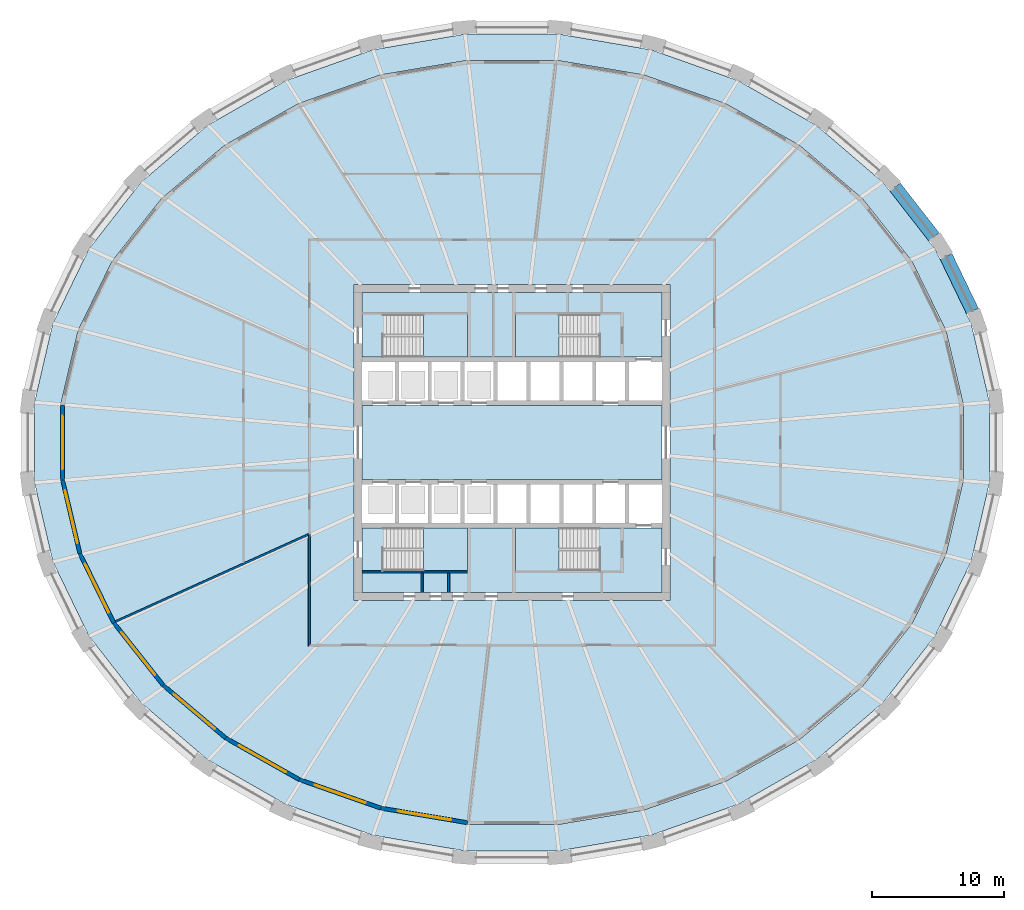
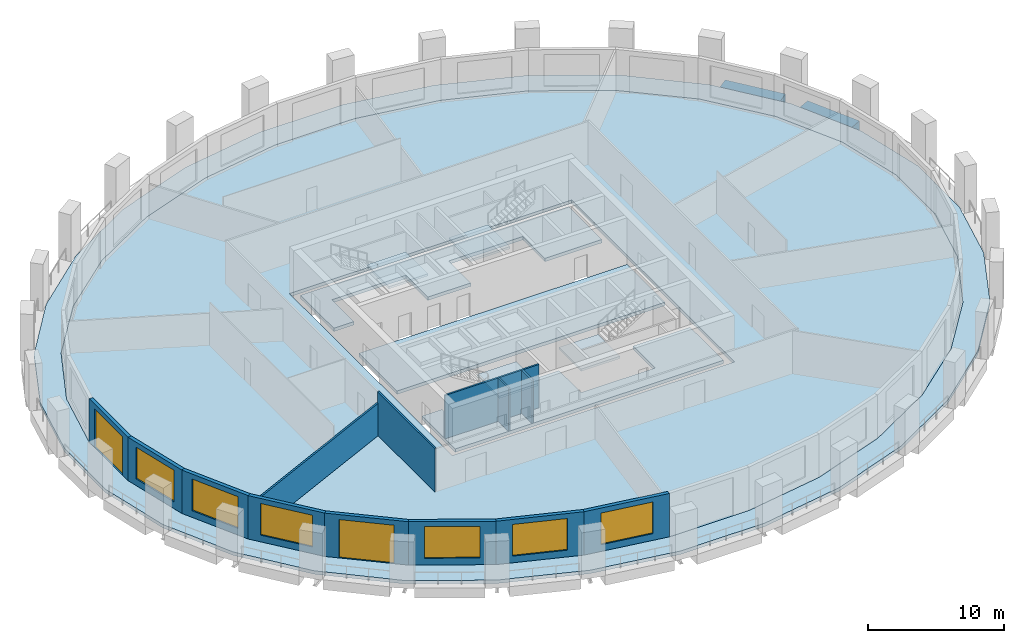
# One storey, part 2 of 10: 13 walls, 9 slabs, 6 windows, 2 beams, 2 doors, 8 openings, 4 elements without a shape of their own.
"""IFC4 building model written with IfcOpenShell, lengths in metres."""

from ifc_helpers import new_model, si_unit, direction, frame, frame_2d, origin, origin_2d, place, context, subcontext, project, spatial, polyline, rectangle, outline, extrude, material, layer, layer_set, material_profile, profile_set, type_object, element, fill, aggregate, save


model = new_model("IFC4")

# Units and contexts
model_context = context("Model", 3, precision=1e-05, world=origin(), true_north=direction((0.0, 1.0)))
body_context = subcontext(model_context, "Body", "Model", "MODEL_VIEW")
ifc_project = project(units=[si_unit("LENGTHUNIT", "METRE"), si_unit("AREAUNIT", "SQUARE_METRE"), si_unit("VOLUMEUNIT", "CUBIC_METRE"), si_unit("PLANEANGLEUNIT", "RADIAN"), si_unit("MASSUNIT", "GRAM", prefix="KILO")], contexts=[model_context])

# Site, building, storey
site_placement = place(None, origin())
site = spatial("IfcSite", under=ifc_project, at=site_placement, CompositionType="ELEMENT")
building_placement = place(site_placement, origin())
building = spatial("IfcBuilding", under=site, at=building_placement, Name="Halqa Exchange Tower", CompositionType="ELEMENT")
storey_placement = place(building_placement, frame((0.0, 0.0, 65.5)))
storey = spatial("IfcBuildingStorey", under=building, at=storey_placement, Name="L14", CompositionType="ELEMENT", Elevation=65.5)

# Beams
ifc_material_1 = material(Name="Concrete C60/75", Category="concrete")
ifc_material_profile = material_profile(ifc_material_1, rectangle(XDim=1.0, YDim=0.89990234375, at=origin_2d()), Name="1000 x 900")
ifc_profile_set = profile_set([ifc_material_profile], Name="Concrete C60/75")
beam_type = type_object("IfcBeamType", Name="RC spandrel beam 1000 x 900 C60/75", PredefinedType="SPANDREL", material=ifc_profile_set)
beam_1_placement = place(storey_placement, frame((35.0, 9.9892578125, -0.449951171875), z_axis=(-0.435081553548, 0.900391049357, 0.0), x_axis=(-0.900391049357, -0.435081553548, 0.0)))
element("IfcBeam", 1, at=beam_1_placement, inside=storey, type_object=beam_type, Name="Spandrel 2", PredefinedType="SPANDREL", context=body_context, shape_type="SweptSolid", body=[
    extrude(rectangle(XDim=1.0, YDim=0.89990234375, at=origin_2d()), origin(), (0.0, 0.0, 1.0), 4.619873046875),
])
beam_2_placement = place(storey_placement, frame((32.06884765625, 15.630859375, -0.449951171875), z_axis=(-0.614821046905, 0.788666647122, 0.0), x_axis=(-0.788666647122, -0.614821046905, 0.0)))
element("IfcBeam", 2, at=beam_2_placement, inside=storey, type_object=beam_type, Name="Spandrel 3", PredefinedType="SPANDREL", context=body_context, shape_type="SweptSolid", body=[
    extrude(rectangle(XDim=1.0, YDim=0.89990234375, at=origin_2d()), origin(), (0.0, 0.0, 1.0), 4.79736328125),
])

# Slabs
ifc_layer_1 = layer(ifc_material_1, 0.300048828125)
ifc_layer_set_1 = layer_set([ifc_layer_1], Name="Concrete C60/75")
slab_type_1 = type_object("IfcSlabType", Name="Core floor slab 300", PredefinedType="FLOOR", material=ifc_layer_set_1)
slab_1_placement = place(storey_placement, frame((0.0, 0.0, -0.300048828125)))
element("IfcSlab", 3, at=slab_1_placement, inside=storey, type_object=slab_type_1, Name="Core floor slab", PredefinedType="FLOOR", context=body_context, shape_type="SweptSolid", body=[
    extrude(outline(polyline([(-11.39990234375, 2.800048828125), (11.39990234375, 2.800048828125), (11.39990234375, -2.800048828125), (-11.39990234375, -2.800048828125), (-11.39990234375, 2.800048828125)])), origin(), (0.0, 0.0, 1.0), 0.300048828125),
])
slab_2_placement = place(storey_placement, frame((0.0, 0.0, -0.300048828125)))
element("IfcSlab", 4, at=slab_2_placement, inside=storey, type_object=slab_type_1, Name="Core floor slab", PredefinedType="FLOOR", context=body_context, shape_type="SweptSolid", body=[
    extrude(outline(polyline([(-11.39990234375, 11.39990234375), (11.39990234375, 11.39990234375), (11.39990234375, 6.5), (6.550048828125, 6.5), (6.550048828125, 9.75), (0.25, 9.75), (0.25, 6.5), (-3.39990234375, 6.5), (-3.39990234375, 9.75), (-9.699951171875, 9.75), (-9.699951171875, 6.5), (-11.39990234375, 6.5), (-11.39990234375, 11.39990234375)])), origin(), (0.0, 0.0, 1.0), 0.300048828125),
])
slab_3_placement = place(storey_placement, frame((0.0, 0.0, -0.300048828125)))
element("IfcSlab", 5, at=slab_3_placement, inside=storey, type_object=slab_type_1, Name="Core floor slab", PredefinedType="FLOOR", context=body_context, shape_type="SweptSolid", body=[
    extrude(outline(polyline([(-9.699951171875, -9.75), (-3.39990234375, -9.75), (-3.39990234375, -6.5), (0.25, -6.5), (0.25, -9.75), (6.550048828125, -9.75), (6.550048828125, -6.5), (11.39990234375, -6.5), (11.39990234375, -11.39990234375), (-11.39990234375, -11.39990234375), (-11.39990234375, -6.5), (-9.699951171875, -6.5), (-9.699951171875, -9.75)])), origin(), (0.0, 0.0, 1.0), 0.300048828125),
])
ifc_material_2 = material(Name="Concrete C40/50", Category="concrete")
ifc_layer_2 = layer(ifc_material_2, 0.300048828125)
ifc_layer_set_2 = layer_set([ifc_layer_2], Name="Concrete C40/50")
slab_type_2 = type_object("IfcSlabType", Name="RC floor slab 300", PredefinedType="FLOOR", material=ifc_layer_set_2)
slab_4_placement = place(storey_placement, frame((0.0, 0.0, -0.300048828125)))
element("IfcSlab", 6, at=slab_4_placement, inside=storey, type_object=slab_type_2, Name="Floor slab", PredefinedType="FLOOR", context=body_context, shape_type="SweptSolid", body=[
    extrude(outline(polyline([(34.30908203125, 2.86669921875), (32.986572265625, 8.48828125), (30.393798828125, 13.7802734375), (26.63330078125, 18.538330078125), (21.851806640625, 22.580810546875), (16.233642578125, 25.75439453125), (9.9951171875, 27.939208984375), (3.374755859375, 29.052490234375), (-3.374755859375, 29.052490234375), (-9.9951171875, 27.939208984375), (-16.233642578125, 25.75439453125), (-21.851806640625, 22.580810546875), (-26.63330078125, 18.538330078125), (-30.393798828125, 13.7802734375), (-32.986572265625, 8.48828125), (-34.30908203125, 2.86669921875), (-34.30908203125, -2.86669921875), (-32.986572265625, -8.48828125), (-30.393798828125, -13.7802734375), (-26.63330078125, -18.538330078125), (-21.851806640625, -22.580810546875), (-16.233642578125, -25.75439453125), (-9.9951171875, -27.939208984375), (-3.374755859375, -29.052490234375), (3.374755859375, -29.052490234375), (9.9951171875, -27.939208984375), (16.233642578125, -25.75439453125), (21.851806640625, -22.580810546875), (26.63330078125, -18.538330078125), (30.393798828125, -13.7802734375), (32.986572265625, -8.48828125), (34.30908203125, -2.86669921875), (34.30908203125, 2.86669921875)]), holes=[polyline([(-12.0, -12.0), (12.0, -12.0), (12.0, 12.0), (-12.0, 12.0), (-12.0, -12.0)])]), origin(), (0.0, 0.0, 1.0), 0.300048828125),
])
ifc_layer_3 = layer(ifc_material_2, 0.300048828125)
ifc_layer_set_3 = layer_set([ifc_layer_3], Name="Concrete C40/50")
slab_type_3 = type_object("IfcSlabType", Name="RC loggia slab 300", PredefinedType="FLOOR", material=ifc_layer_set_3)
slab_5_placement = place(storey_placement, frame((0.0, 0.0, -0.300048828125)))
element("IfcSlab", 7, at=slab_5_placement, inside=storey, type_object=slab_type_3, Name="Loggia slab", PredefinedType="FLOOR", context=body_context, shape_type="SweptSolid", body=[
    extrude(outline(polyline([(36.295654296875, 3.049072265625), (36.295654296875, -3.049072265625), (34.906982421875, -9.0322265625), (32.180908203125, -14.674072265625), (28.217529296875, -19.758056640625), (23.16650390625, -24.087646484375), (17.2197265625, -27.493408203125), (10.606201171875, -29.841552734375), (3.581787109375, -31.0390625), (-3.581787109375, -31.0390625), (-10.606201171875, -29.841552734375), (-17.2197265625, -27.493408203125), (-23.16650390625, -24.087646484375), (-28.217529296875, -19.758056640625), (-32.180908203125, -14.674072265625), (-34.906982421875, -9.0322265625), (-36.295654296875, -3.049072265625), (-36.295654296875, 3.049072265625), (-34.906982421875, 9.0322265625), (-32.180908203125, 14.674072265625), (-28.217529296875, 19.758056640625), (-23.16650390625, 24.087646484375), (-17.2197265625, 27.493408203125), (-10.606201171875, 29.841552734375), (-3.581787109375, 31.0390625), (3.581787109375, 31.0390625), (10.606201171875, 29.841552734375), (17.2197265625, 27.493408203125), (23.16650390625, 24.087646484375), (28.217529296875, 19.758056640625), (32.180908203125, 14.674072265625), (34.906982421875, 9.0322265625), (36.295654296875, 3.049072265625)]), holes=[polyline([(34.30908203125, 2.86669921875), (32.986572265625, 8.48828125), (30.393798828125, 13.7802734375), (26.63330078125, 18.538330078125), (21.851806640625, 22.580810546875), (16.233642578125, 25.75439453125), (9.9951171875, 27.939208984375), (3.374755859375, 29.052490234375), (-3.374755859375, 29.052490234375), (-9.9951171875, 27.939208984375), (-16.233642578125, 25.75439453125), (-21.851806640625, 22.580810546875), (-26.63330078125, 18.538330078125), (-30.393798828125, 13.7802734375), (-32.986572265625, 8.48828125), (-34.30908203125, 2.86669921875), (-34.30908203125, -2.86669921875), (-32.986572265625, -8.48828125), (-30.393798828125, -13.7802734375), (-26.63330078125, -18.538330078125), (-21.851806640625, -22.580810546875), (-16.233642578125, -25.75439453125), (-9.9951171875, -27.939208984375), (-3.374755859375, -29.052490234375), (3.374755859375, -29.052490234375), (9.9951171875, -27.939208984375), (16.233642578125, -25.75439453125), (21.851806640625, -22.580810546875), (26.63330078125, -18.538330078125), (30.393798828125, -13.7802734375), (32.986572265625, -8.48828125), (34.30908203125, -2.86669921875), (34.30908203125, 2.86669921875)])]), origin(), (0.0, 0.0, 1.0), 0.300048828125),
])

# Stair, slab
ifc_material_3 = material(Name="Concrete C30/37", Category="concrete")
stair_type = type_object("IfcStairType", Name="Exit stair 1500 wide", PredefinedType="HALF_TURN_STAIR", material=ifc_material_3)
stair_1_placement = place(storey_placement, origin())
stair_1 = element("IfcStair", 8, at=stair_1_placement, inside=storey, type_object=stair_type, Name="Exit stair ST1", PredefinedType="HALF_TURN_STAIR")
ifc_layer_4 = layer(ifc_material_3, 0.199951171875)
ifc_layer_set_4 = layer_set([ifc_layer_4], Name="Concrete C30/37")
slab_type_4 = type_object("IfcSlabType", Name="Stair landing 200 slab", PredefinedType="LANDING", material=ifc_layer_set_4)
slab_6_placement = place(storey_placement, frame((0.0, 0.0, 1.89990234375)))
slab_6 = element("IfcSlab", 9, at=slab_6_placement, type_object=slab_type_4, Name="ST1 landing 1", PredefinedType="LANDING", context=body_context, shape_type="SweptSolid", body=[
    extrude(outline(polyline([(-6.719970703125, 6.5), (-3.39990234375, 6.5), (-3.39990234375, 9.75), (-6.719970703125, 9.75), (-6.719970703125, 6.5)])), origin(), (0.0, 0.0, 1.0), 0.2001953125),
])
aggregate(stair_1, [slab_6])

stair_2_placement = place(storey_placement, origin())
stair_2 = element("IfcStair", 10, at=stair_2_placement, inside=storey, type_object=stair_type, Name="Exit stair ST2", PredefinedType="HALF_TURN_STAIR")
slab_7_placement = place(storey_placement, frame((0.0, 0.0, 1.89990234375)))
slab_7 = element("IfcSlab", 11, at=slab_7_placement, type_object=slab_type_4, Name="ST2 landing 1", PredefinedType="LANDING", context=body_context, shape_type="SweptSolid", body=[
    extrude(outline(polyline([(0.25, 6.5), (3.570068359375, 6.5), (3.570068359375, 9.75), (0.25, 9.75), (0.25, 6.5)])), origin(), (0.0, 0.0, 1.0), 0.2001953125),
])
aggregate(stair_2, [slab_7])

stair_3_placement = place(storey_placement, origin())
stair_3 = element("IfcStair", 12, at=stair_3_placement, inside=storey, type_object=stair_type, Name="Exit stair ST3", PredefinedType="HALF_TURN_STAIR")
slab_8_placement = place(storey_placement, frame((0.0, 0.0, 1.89990234375)))
slab_8 = element("IfcSlab", 13, at=slab_8_placement, type_object=slab_type_4, Name="ST3 landing 1", PredefinedType="LANDING", context=body_context, shape_type="SweptSolid", body=[
    extrude(outline(polyline([(-6.719970703125, -9.75), (-3.39990234375, -9.75), (-3.39990234375, -6.5), (-6.719970703125, -6.5), (-6.719970703125, -9.75)])), origin(), (0.0, 0.0, 1.0), 0.2001953125),
])
aggregate(stair_3, [slab_8])

stair_4_placement = place(storey_placement, origin())
stair_4 = element("IfcStair", 14, at=stair_4_placement, inside=storey, type_object=stair_type, Name="Exit stair ST4", PredefinedType="HALF_TURN_STAIR")
slab_9_placement = place(storey_placement, frame((0.0, 0.0, 1.89990234375)))
slab_9 = element("IfcSlab", 15, at=slab_9_placement, type_object=slab_type_4, Name="ST4 landing 1", PredefinedType="LANDING", context=body_context, shape_type="SweptSolid", body=[
    extrude(outline(polyline([(0.25, -9.75), (3.570068359375, -9.75), (3.570068359375, -6.5), (0.25, -6.5), (0.25, -9.75)])), origin(), (0.0, 0.0, 1.0), 0.2001953125),
])
aggregate(stair_4, [slab_9])

# Walls
ifc_material_4 = material(Name="Fire-rated gypsum board")
ifc_layer_5 = layer(ifc_material_4, 0.14990234375)
ifc_layer_set_5 = layer_set([ifc_layer_5], Name="Fire-rated gypsum board")
wall_type_1 = type_object("IfcWallType", Name="Fire partition EI 60 150", PredefinedType="PARTITIONING", material=ifc_layer_set_5)
wall_1_placement = place(storey_placement, frame((-30.14111328125, -13.61865234375, 0.0), z_axis=(0.0, 0.0, 1.0), x_axis=(0.911338205206, 0.411658445476, 0.0)))
element("IfcWall", 16, at=wall_1_placement, inside=storey, type_object=wall_type_1, Name="L14-PWL-001", PredefinedType="PARTITIONING", context=body_context, shape_type="SweptSolid", body=[
    extrude(outline(polyline([(0.020263671875, -0.074951171875), (1.802490234375, -0.074951171875), (3.58447265625, -0.074951171875), (5.366455078125, -0.074951171875), (7.148681640625, -0.074951171875), (8.9306640625, -0.074951171875), (10.712890625, -0.074951171875), (12.494873046875, -0.074951171875), (14.277099609375, -0.074951171875), (16.05908203125, -0.074951171875), (16.10693359375, 0.03076171875), (16.1103515625, 0.029296875), (16.1103515625, 0.029296875), (16.12060546875, 0.024658203125), (16.142578125, 0.073486328125), (16.142578125, 0.074951171875), (14.354248046875, 0.074951171875), (12.56591796875, 0.074951171875), (10.777587890625, 0.074951171875), (10.777099609375, 0.07373046875), (10.7744140625, 0.074951171875), (8.978515625, 0.074951171875), (7.182861328125, 0.074951171875), (5.38720703125, 0.074951171875), (3.591552734375, 0.074951171875), (1.795654296875, 0.074951171875), (0.0, 0.074951171875), (0.0, 0.06396484375), (0.001953125, -0.001953125), (0.020263671875, -0.074951171875)])), origin(), (0.0, 0.0, 1.0), 2.909912109375),
])
wall_2_placement = place(storey_placement, frame((-15.39990234375, -15.47509765625, 0.0), z_axis=(0.0, 0.0, 1.0), x_axis=(0.0, 1.0, 0.0)))
element("IfcWall", 17, at=wall_2_placement, inside=storey, type_object=wall_type_1, Name="L14-PWL-006", PredefinedType="PARTITIONING", context=body_context, shape_type="SweptSolid", body=[
    extrude(outline(polyline([(8.51513671875, 0.074951171875), (6.812255859375, 0.074951171875), (5.109130859375, 0.074951171875), (3.40625, 0.074951171875), (1.703125, 0.074951171875), (0.000244140625, 0.074951171875), (0.150146484375, -0.074951171875), (1.8232421875, -0.074951171875), (3.49609375, -0.074951171875), (5.169189453125, -0.074951171875), (6.842041015625, -0.074951171875), (8.51513671875, -0.074951171875), (8.51513671875, 0.074951171875)])), origin(), (0.0, 0.0, 1.0), 3.89990234375),
])
ifc_material_5 = material(Name="Gypsum board")
ifc_layer_6 = layer(ifc_material_5, 0.14990234375)
ifc_layer_set_6 = layer_set([ifc_layer_6], Name="Gypsum board")
wall_type_2 = type_object("IfcWallType", Name="Penthouse riser wall 150 gypsum", PredefinedType="PARTITIONING", material=ifc_layer_set_6)
for number, where, z_axis, x_axis, name in (
    (18, (-6.824951171875, -11.39990234375, 0.0), (0.0, 0.0, 1.0), (0.0, 1.0, 0.0), "Partition W6.825 S"),
    (19, (-4.824951171875, -11.39990234375, 0.0), (0.0, 0.0, 1.0), (0.0, 1.0, 0.0), "Partition W4.825 S"),
):
    element("IfcWall", number, at=place(storey_placement, frame(where, z_axis=z_axis, x_axis=x_axis)), inside=storey, type_object=wall_type_2, Name=name, PredefinedType="PARTITIONING", context=body_context, shape_type="SweptSolid", body=[
        extrude(rectangle(XDim=1.5, YDim=0.14990234375, at=frame_2d((0.75, 0.0))), origin(), (0.0, 0.0, 1.0), 3.89990234375),
    ])
ifc_layer_7 = layer(ifc_material_3, 0.14990234375)
ifc_layer_set_7 = layer_set([ifc_layer_7], Name="Concrete C30/37")
wall_type_3 = type_object("IfcWallType", Name="RC stair wall 150 C30/37", PredefinedType="SHEAR", material=ifc_layer_set_7)
wall_3_placement = place(storey_placement, frame((-11.39990234375, -9.824951171875, 0.0), z_axis=(0.0, 0.0, 1.0), x_axis=(1.0, 0.0, 0.0)))
element("IfcWall", 20, at=wall_3_placement, inside=storey, type_object=wall_type_3, Name="Stair ST1 north wall S", PredefinedType="SHEAR", context=body_context, shape_type="SweptSolid", body=[
    extrude(rectangle(XDim=8.0, YDim=0.14990234375, at=frame_2d((4.0, 0.0))), origin(), (0.0, 0.0, 1.0), 3.89990234375),
])

# Wall, opening, door
ifc_material_6 = material(Name="Limestone cladding", Category="masonry")
ifc_layer_8 = layer(ifc_material_6, 0.0400390625)
ifc_material_7 = material(Name="Ventilated cavity")
ifc_layer_9 = layer(ifc_material_7, 0.030029296875, ventilated=True)
ifc_material_8 = material(Name="Mineral wool insulation")
ifc_layer_10 = layer(ifc_material_8, 0.10009765625)
ifc_layer_11 = layer(ifc_material_3, 0.10009765625)
ifc_material_9 = material(Name="Internal plaster")
ifc_layer_12 = layer(ifc_material_9, 0.030029296875)
ifc_layer_set_8 = layer_set([ifc_layer_8, ifc_layer_9, ifc_layer_10, ifc_layer_11, ifc_layer_12], Name="Stone-faced insulated wall 300")
wall_type_4 = type_object("IfcWallType", Name="Stone-faced insulated wall 300", PredefinedType="STANDARD", material=ifc_layer_set_8)
wall_4_placement = place(storey_placement, frame((-34.1591796875, 2.849365234375, 0.0), z_axis=(0.0, 0.0, 1.0), x_axis=(0.0, -1.0, 0.0)))
wall_4 = element("IfcWall", 21, at=wall_4_placement, inside=storey, type_object=wall_type_4, Name="Glass-line wall 16", PredefinedType="STANDARD", context=body_context, shape_type="SweptSolid", body=[
    extrude(outline(polyline([(-0.017333984375, -0.14990234375), (5.716064453125, -0.14990234375), (5.681396484375, 0.14990234375), (0.017333984375, 0.14990234375), (-0.017333984375, -0.14990234375)])), origin(), (0.0, 0.0, 1.0), 3.89990234375),
])
opening_1_placement = place(wall_4_placement, frame((0.79931640625, 0.0, 0.0)))
opening_1 = element("IfcOpeningElement", 22, at=opening_1_placement, cuts=wall_4, Name="Opening LG-F1-04", PredefinedType="OPENING", context=body_context, shape_type="SweptSolid", body=[
    extrude(rectangle(XDim=4.10009765625, YDim=3.449951171875, at=frame_2d((2.050048828125, 1.72509765625))), frame((0.0, 0.162109375, 0.0), z_axis=(0.0, -1.0, 0.0), x_axis=(1.0, 0.0, 0.0)), (0.0, 0.0, 1.0), 0.323974609375),
])
ifc_material_10 = material(Name="Clear low-emissivity glass in aluminium frame", Category="aluminium")
door_type = type_object("IfcDoorType", Name="Glazed sliding loggia door 4100 x 3450", OperationType="DOUBLE_DOOR_SLIDING", PredefinedType="DOOR", material=ifc_material_10)
door_1_placement = place(opening_1_placement, origin())
door_1 = element("IfcDoor", 23, at=door_1_placement, inside=storey, type_object=door_type, Name="Loggia door 4", OperationType="DOUBLE_DOOR_SLIDING", OverallHeight=3.449951171875, OverallWidth=4.10009765625, PredefinedType="DOOR", context=body_context, shape_type="SweptSolid", body=[
    extrude(rectangle(XDim=4.10009765625, YDim=3.449951171875, at=frame_2d((2.050048828125, 1.72509765625))), frame((0.0, 0.02490234375, 0.0), z_axis=(0.0, -1.0, 0.0), x_axis=(1.0, 0.0, 0.0)), (0.0, 0.0, 1.0), 0.050048828125),
])
fill(opening_1, door_1)

# Wall, opening, window
wall_5_placement = place(storey_placement, frame((-34.1591796875, -2.849365234375, 0.0), z_axis=(0.0, 0.0, 1.0), x_axis=(0.22905355604, -0.973413821797, 0.0)))
wall_5 = element("IfcWall", 24, at=wall_5_placement, inside=storey, type_object=wall_type_4, Name="Glass-line wall 17", PredefinedType="STANDARD", context=body_context, shape_type="SweptSolid", body=[
    extrude(outline(polyline([(-0.017333984375, -0.14990234375), (5.757568359375, -0.14990234375), (5.723876953125, 0.14990234375), (0.017333984375, 0.14990234375), (-0.017333984375, -0.14990234375)])), origin(), (0.0, 0.0, 1.0), 3.89990234375),
])
opening_2_placement = place(wall_5_placement, frame((0.8203125, 0.0, 0.60009765625)))
opening_2 = element("IfcOpeningElement", 25, at=opening_2_placement, cuts=wall_5, Name="Opening W-F1-17", PredefinedType="OPENING", context=body_context, shape_type="SweptSolid", body=[
    extrude(rectangle(XDim=4.10009765625, YDim=2.85009765625, at=frame_2d((2.050048828125, 1.425048828125))), frame((0.0, 0.162109375, 0.0), z_axis=(0.0, -1.0, 0.0), x_axis=(1.0, 0.0, 0.0)), (0.0, 0.0, 1.0), 0.323974609375),
])
window_type = type_object("IfcWindowType", Name="Fixed clear glazed window 4100 x 2850", PartitioningType="TRIPLE_PANEL_VERTICAL", PredefinedType="WINDOW", material=ifc_material_10)
window_1_placement = place(opening_2_placement, origin())
window_1 = element("IfcWindow", 26, at=window_1_placement, inside=storey, type_object=window_type, Name="Window 1", OverallHeight=2.85009765625, OverallWidth=4.10009765625, PartitioningType="TRIPLE_PANEL_VERTICAL", PredefinedType="WINDOW", context=body_context, shape_type="SweptSolid", body=[
    extrude(rectangle(XDim=4.10009765625, YDim=2.85009765625, at=frame_2d((2.050048828125, 1.425048828125))), frame((0.0, 0.030029296875, 0.0), z_axis=(0.0, -1.0, 0.0), x_axis=(1.0, 0.0, 0.0)), (0.0, 0.0, 1.0), 0.06005859375),
])
fill(opening_2, window_1)

wall_6_placement = place(storey_placement, frame((-32.84423828125, -8.4375, 0.0), z_axis=(0.0, 0.0, 1.0), x_axis=(0.439949735177, -0.898022399786, 0.0)))
wall_6 = element("IfcWall", 27, at=wall_6_placement, inside=storey, type_object=wall_type_4, Name="Glass-line wall 18", PredefinedType="STANDARD", context=body_context, shape_type="SweptSolid", body=[
    extrude(outline(polyline([(-0.016845703125, -0.14990234375), (5.876220703125, -0.14990234375), (5.843994140625, 0.14990234375), (0.016845703125, 0.14990234375), (-0.016845703125, -0.14990234375)])), origin(), (0.0, 0.0, 1.0), 3.89990234375),
])
opening_3_placement = place(wall_6_placement, frame((0.8798828125, 0.0, 0.60009765625)))
opening_3 = element("IfcOpeningElement", 28, at=opening_3_placement, cuts=wall_6, Name="Opening W-F1-18", PredefinedType="OPENING", context=body_context, shape_type="SweptSolid", body=[
    extrude(rectangle(XDim=4.10009765625, YDim=2.85009765625, at=frame_2d((2.050048828125, 1.425048828125))), frame((0.0, 0.162109375, 0.0), z_axis=(0.0, -1.0, 0.0), x_axis=(1.0, 0.0, 0.0)), (0.0, 0.0, 1.0), 0.323974609375),
])
window_2_placement = place(opening_3_placement, origin())
window_2 = element("IfcWindow", 29, at=window_2_placement, inside=storey, type_object=window_type, Name="Window 1", OverallHeight=2.85009765625, OverallWidth=4.10009765625, PartitioningType="TRIPLE_PANEL_VERTICAL", PredefinedType="WINDOW", context=body_context, shape_type="SweptSolid", body=[
    extrude(rectangle(XDim=4.10009765625, YDim=2.85009765625, at=frame_2d((2.050048828125, 1.425048828125))), frame((0.0, 0.030029296875, 0.0), z_axis=(0.0, -1.0, 0.0), x_axis=(1.0, 0.0, 0.0)), (0.0, 0.0, 1.0), 0.06005859375),
])
fill(opening_3, window_2)

wall_7_placement = place(storey_placement, frame((-30.26611328125, -13.699951171875, 0.0), z_axis=(0.0, 0.0, 1.0), x_axis=(0.620065339223, -0.784550173727, 0.0)))
wall_7 = element("IfcWall", 30, at=wall_7_placement, inside=storey, type_object=wall_type_4, Name="Glass-line wall 19", PredefinedType="STANDARD", context=body_context, shape_type="SweptSolid", body=[
    extrude(outline(polyline([(-0.01611328125, -0.14990234375), (6.048828125, -0.14990234375), (6.0185546875, 0.14990234375), (0.01611328125, 0.14990234375), (-0.01611328125, -0.14990234375)])), origin(), (0.0, 0.0, 1.0), 3.89990234375),
])
opening_4_placement = place(wall_7_placement, frame((0.966796875, 0.0, 0.60009765625)))
opening_4 = element("IfcOpeningElement", 31, at=opening_4_placement, cuts=wall_7, Name="Opening W-F1-19", PredefinedType="OPENING", context=body_context, shape_type="SweptSolid", body=[
    extrude(rectangle(XDim=4.10009765625, YDim=2.85009765625, at=frame_2d((2.050048828125, 1.425048828125))), frame((0.0, 0.162109375, 0.0), z_axis=(0.0, -1.0, 0.0), x_axis=(1.0, 0.0, 0.0)), (0.0, 0.0, 1.0), 0.323974609375),
])
window_3_placement = place(opening_4_placement, origin())
window_3 = element("IfcWindow", 32, at=window_3_placement, inside=storey, type_object=window_type, Name="Window 1", OverallHeight=2.85009765625, OverallWidth=4.10009765625, PartitioningType="TRIPLE_PANEL_VERTICAL", PredefinedType="WINDOW", context=body_context, shape_type="SweptSolid", body=[
    extrude(rectangle(XDim=4.10009765625, YDim=2.85009765625, at=frame_2d((2.050048828125, 1.425048828125))), frame((0.0, 0.030029296875, 0.0), z_axis=(0.0, -1.0, 0.0), x_axis=(1.0, 0.0, 0.0)), (0.0, 0.0, 1.0), 0.06005859375),
])
fill(opening_4, window_3)

# Wall, opening, door
wall_8_placement = place(storey_placement, frame((-26.52490234375, -18.43359375, 0.0), z_axis=(0.0, 0.0, 1.0), x_axis=(0.763655167989, -0.645624336905, 0.0)))
wall_8 = element("IfcWall", 33, at=wall_8_placement, inside=storey, type_object=wall_type_4, Name="Glass-line wall 20", PredefinedType="STANDARD", context=body_context, shape_type="SweptSolid", body=[
    extrude(outline(polyline([(-0.01513671875, -0.14990234375), (6.246337890625, -0.14990234375), (6.218017578125, 0.14990234375), (0.01513671875, 0.14990234375), (-0.01513671875, -0.14990234375)])), origin(), (0.0, 0.0, 1.0), 3.89990234375),
])
opening_5_placement = place(wall_8_placement, frame((1.066162109375, 0.0, 0.0)))
opening_5 = element("IfcOpeningElement", 34, at=opening_5_placement, cuts=wall_8, Name="Opening LG-F1-05", PredefinedType="OPENING", context=body_context, shape_type="SweptSolid", body=[
    extrude(rectangle(XDim=4.10009765625, YDim=3.449951171875, at=frame_2d((2.050048828125, 1.72509765625))), frame((0.0, 0.162109375, 0.0), z_axis=(0.0, -1.0, 0.0), x_axis=(1.0, 0.0, 0.0)), (0.0, 0.0, 1.0), 0.323974609375),
])
door_2_placement = place(opening_5_placement, origin())
door_2 = element("IfcDoor", 35, at=door_2_placement, inside=storey, type_object=door_type, Name="Loggia door 5", OperationType="DOUBLE_DOOR_SLIDING", OverallHeight=3.449951171875, OverallWidth=4.10009765625, PredefinedType="DOOR", context=body_context, shape_type="SweptSolid", body=[
    extrude(rectangle(XDim=4.10009765625, YDim=3.449951171875, at=frame_2d((2.050048828125, 1.72509765625))), frame((0.0, 0.02490234375, 0.0), z_axis=(0.0, -1.0, 0.0), x_axis=(1.0, 0.0, 0.0)), (0.0, 0.0, 1.0), 0.050048828125),
])
fill(opening_5, door_2)

# Wall, opening, window
wall_9_placement = place(storey_placement, frame((-21.765625, -22.457275390625, 0.0), z_axis=(0.0, 0.0, 1.0), x_axis=(0.870673928577, -0.491860661262, 0.0)))
wall_9 = element("IfcWall", 36, at=wall_9_placement, inside=storey, type_object=wall_type_4, Name="Glass-line wall 21", PredefinedType="STANDARD", context=body_context, shape_type="SweptSolid", body=[
    extrude(outline(polyline([(-0.01416015625, -0.14990234375), (6.438232421875, -0.14990234375), (6.411376953125, 0.14990234375), (0.01416015625, 0.14990234375), (-0.01416015625, -0.14990234375)])), origin(), (0.0, 0.0, 1.0), 3.89990234375),
])
opening_6_placement = place(wall_9_placement, frame((1.16259765625, 0.0, 0.60009765625)))
opening_6 = element("IfcOpeningElement", 37, at=opening_6_placement, cuts=wall_9, Name="Opening W-F1-21", PredefinedType="OPENING", context=body_context, shape_type="SweptSolid", body=[
    extrude(rectangle(XDim=4.10009765625, YDim=2.85009765625, at=frame_2d((2.050048828125, 1.425048828125))), frame((0.0, 0.162109375, 0.0), z_axis=(0.0, -1.0, 0.0), x_axis=(1.0, 0.0, 0.0)), (0.0, 0.0, 1.0), 0.323974609375),
])
window_4_placement = place(opening_6_placement, origin())
window_4 = element("IfcWindow", 38, at=window_4_placement, inside=storey, type_object=window_type, Name="Window 1", OverallHeight=2.85009765625, OverallWidth=4.10009765625, PartitioningType="TRIPLE_PANEL_VERTICAL", PredefinedType="WINDOW", context=body_context, shape_type="SweptSolid", body=[
    extrude(rectangle(XDim=4.10009765625, YDim=2.85009765625, at=frame_2d((2.050048828125, 1.425048828125))), frame((0.0, 0.030029296875, 0.0), z_axis=(0.0, -1.0, 0.0), x_axis=(1.0, 0.0, 0.0)), (0.0, 0.0, 1.0), 0.06005859375),
])
fill(opening_6, window_4)

wall_10_placement = place(storey_placement, frame((-16.171630859375, -25.617431640625, 0.0), z_axis=(0.0, 0.0, 1.0), x_axis=(0.94380689486, -0.330497420889, 0.0)))
wall_10 = element("IfcWall", 39, at=wall_10_placement, inside=storey, type_object=wall_type_4, Name="Glass-line wall 22", PredefinedType="STANDARD", context=body_context, shape_type="SweptSolid", body=[
    extrude(outline(polyline([(-0.013427734375, -0.14990234375), (6.5966796875, -0.14990234375), (6.5712890625, 0.14990234375), (0.013427734375, 0.14990234375), (-0.013427734375, -0.14990234375)])), origin(), (0.0, 0.0, 1.0), 3.89990234375),
])
opening_7_placement = place(wall_10_placement, frame((1.241943359375, 0.0, 0.60009765625)))
opening_7 = element("IfcOpeningElement", 40, at=opening_7_placement, cuts=wall_10, Name="Opening W-F1-22", PredefinedType="OPENING", context=body_context, shape_type="SweptSolid", body=[
    extrude(rectangle(XDim=4.10009765625, YDim=2.85009765625, at=frame_2d((2.050048828125, 1.425048828125))), frame((0.0, 0.162109375, 0.0), z_axis=(0.0, -1.0, 0.0), x_axis=(1.0, 0.0, 0.0)), (0.0, 0.0, 1.0), 0.323974609375),
])
window_5_placement = place(opening_7_placement, origin())
window_5 = element("IfcWindow", 41, at=window_5_placement, inside=storey, type_object=window_type, Name="Window 1", OverallHeight=2.85009765625, OverallWidth=4.10009765625, PartitioningType="TRIPLE_PANEL_VERTICAL", PredefinedType="WINDOW", context=body_context, shape_type="SweptSolid", body=[
    extrude(rectangle(XDim=4.10009765625, YDim=2.85009765625, at=frame_2d((2.050048828125, 1.425048828125))), frame((0.0, 0.030029296875, 0.0), z_axis=(0.0, -1.0, 0.0), x_axis=(1.0, 0.0, 0.0)), (0.0, 0.0, 1.0), 0.06005859375),
])
fill(opening_7, window_5)

wall_11_placement = place(storey_placement, frame((-9.95751953125, -27.79345703125, 0.0), z_axis=(0.0, 0.0, 1.0), x_axis=(0.986153133093, -0.165837263877, 0.0)))
wall_11 = element("IfcWall", 42, at=wall_11_placement, inside=storey, type_object=wall_type_4, Name="Glass-line wall 23", PredefinedType="STANDARD", context=body_context, shape_type="SweptSolid", body=[
    extrude(outline(polyline([(-0.0126953125, -0.14990234375), (6.700439453125, -0.14990234375), (6.675537109375, 0.14990234375), (0.0126953125, 0.14990234375), (-0.0126953125, -0.14990234375)])), origin(), (0.0, 0.0, 1.0), 3.89990234375),
])
opening_8_placement = place(wall_11_placement, frame((1.294189453125, 0.0, 0.60009765625)))
opening_8 = element("IfcOpeningElement", 43, at=opening_8_placement, cuts=wall_11, Name="Opening W-F1-23", PredefinedType="OPENING", context=body_context, shape_type="SweptSolid", body=[
    extrude(rectangle(XDim=4.10009765625, YDim=2.85009765625, at=frame_2d((2.050048828125, 1.425048828125))), frame((0.0, 0.162109375, 0.0), z_axis=(0.0, -1.0, 0.0), x_axis=(1.0, 0.0, 0.0)), (0.0, 0.0, 1.0), 0.323974609375),
])
window_6_placement = place(opening_8_placement, origin())
window_6 = element("IfcWindow", 44, at=window_6_placement, inside=storey, type_object=window_type, Name="Window 1", OverallHeight=2.85009765625, OverallWidth=4.10009765625, PartitioningType="TRIPLE_PANEL_VERTICAL", PredefinedType="WINDOW", context=body_context, shape_type="SweptSolid", body=[
    extrude(rectangle(XDim=4.10009765625, YDim=2.85009765625, at=frame_2d((2.050048828125, 1.425048828125))), frame((0.0, 0.030029296875, 0.0), z_axis=(0.0, -1.0, 0.0), x_axis=(1.0, 0.0, 0.0)), (0.0, 0.0, 1.0), 0.06005859375),
])
fill(opening_8, window_6)

save(model, "model.ifc")
